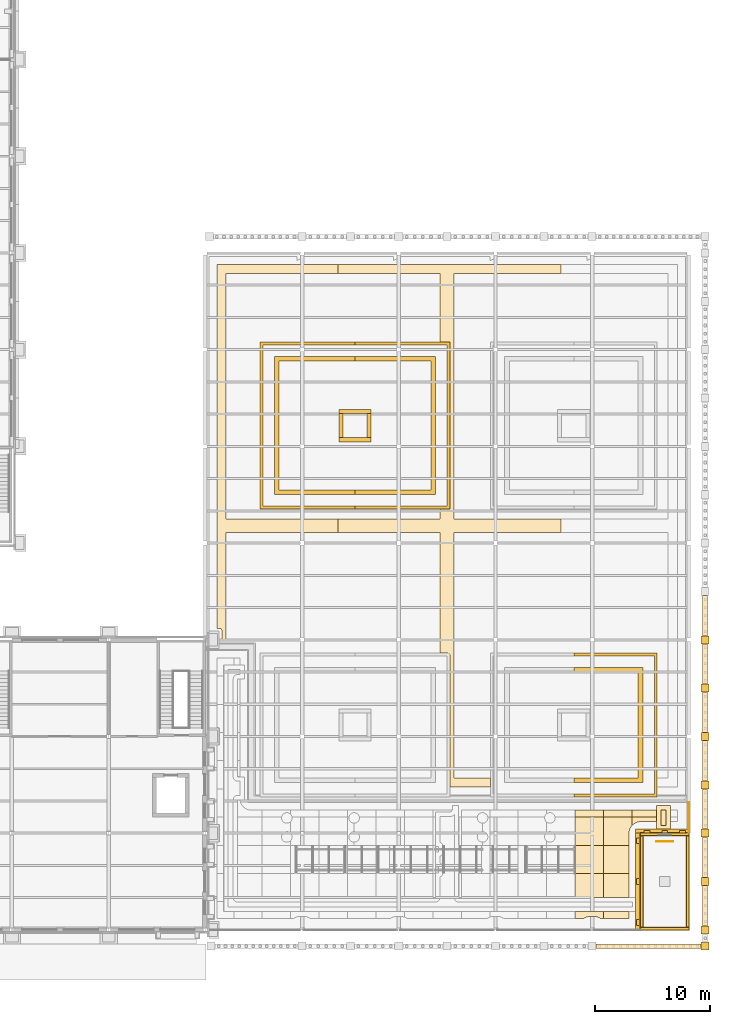
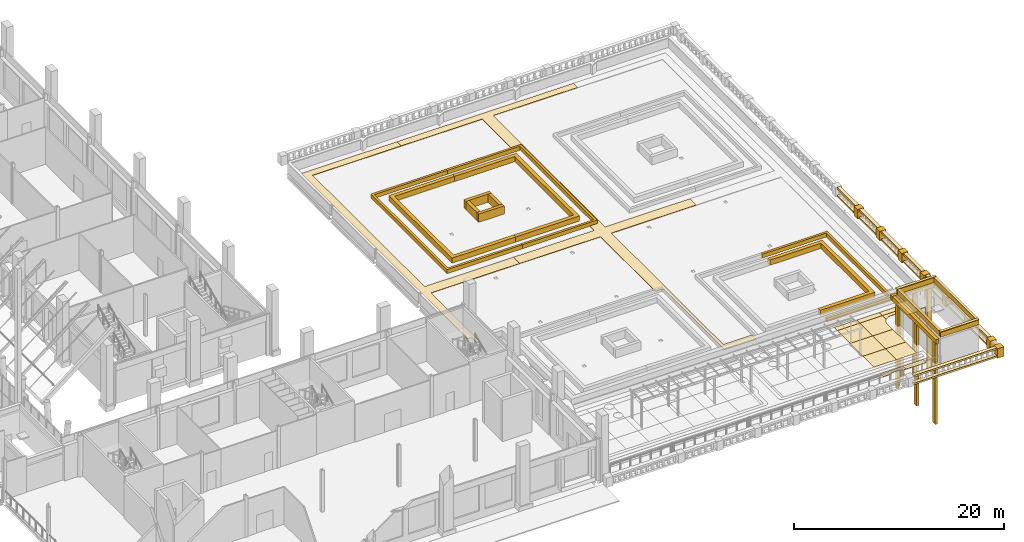
# One storey, part 73 of 76: 66 coverings, 2 railings.
"""IFC4 building model written with IfcOpenShell, lengths in metres."""

from ifc_helpers import new_model, si_unit, direction, frame, origin, origin_2d, place, context, subcontext, project, spatial, polyline, rectangle, circle, outline, extrude, material, layer, layer_set, type_object, element, save


model = new_model("IFC4")

# Units and contexts
model_context = context("Model", 3, precision=1e-05, world=origin(), true_north=direction((0.0, 1.0)))
body_context = subcontext(model_context, "Body", "Model", "MODEL_VIEW")
ifc_project = project(units=[si_unit("LENGTHUNIT", "METRE"), si_unit("AREAUNIT", "SQUARE_METRE"), si_unit("VOLUMEUNIT", "CUBIC_METRE"), si_unit("PLANEANGLEUNIT", "RADIAN"), si_unit("MASSUNIT", "GRAM", prefix="KILO")], contexts=[model_context])

# Site, building, storey
site_placement = place(None, origin())
site = spatial("IfcSite", under=ifc_project, at=site_placement, CompositionType="ELEMENT")
building_placement = place(site_placement, origin())
building = spatial("IfcBuilding", under=site, at=building_placement, Name="Sava Quay Ferry Terminal", CompositionType="ELEMENT")
storey_placement = place(building_placement, frame((0.0, 0.0, 6.0)))
storey = spatial("IfcBuildingStorey", under=building, at=storey_placement, Name="L01", CompositionType="ELEMENT", Elevation=6.0)

# Coverings
ifc_material_1 = material(Name="Limestone Mutalj", Category="masonry")
ifc_layer_1 = layer(ifc_material_1, 0.699951171875)
ifc_layer_set_1 = layer_set([ifc_layer_1], Name="Limestone Mutalj")
covering_type_1 = type_object("IfcCoveringType", Name="Balustrade pier 700", PredefinedType="MOLDING", material=ifc_layer_set_1)
for number, where, z_axis, x_axis, name in (
    (1, (169.39990234375, 23.7900390625, 0.0), (0.0, 0.0, 1.0), (1.0, 0.0, 0.0), "Balustrade pier"),
    (2, (169.39990234375, 25.199951171875, 0.0), (0.0, 0.0, 1.0), (1.0, 0.0, 0.0), "Balustrade pier"),
    (3, (169.39990234375, 29.39990234375, 0.0), (0.0, 0.0, 1.0), (1.0, 0.0, 0.0), "Balustrade pier"),
    (4, (169.39990234375, 33.60009765625, 0.0), (0.0, 0.0, 1.0), (1.0, 0.0, 0.0), "Balustrade pier"),
    (5, (169.39990234375, 37.800048828125, 0.0), (0.0, 0.0, 1.0), (1.0, 0.0, 0.0), "Balustrade pier"),
    (6, (169.39990234375, 42.0, 0.0), (0.0, 0.0, 1.0), (1.0, 0.0, 0.0), "Balustrade pier"),
    (7, (169.39990234375, 46.199951171875, 0.0), (0.0, 0.0, 1.0), (1.0, 0.0, 0.0), "Balustrade pier"),
    (8, (169.39990234375, 50.39990234375, 0.0), (0.0, 0.0, 1.0), (1.0, 0.0, 0.0), "Balustrade pier"),
):
    element("IfcCovering", number, at=place(storey_placement, frame(where, z_axis=z_axis, x_axis=x_axis)), inside=storey, type_object=covering_type_1, Name=name, PredefinedType="MOLDING", context=body_context, shape_type="SweptSolid", body=[
        extrude(rectangle(XDim=0.699951171875, YDim=0.699951171875, at=origin_2d()), origin(), (0.0, 0.0, 1.0), 1.10009765625),
    ])
ifc_material_2 = material(Name="Limestone Mutalj", Category="masonry")
ifc_layer_2 = layer(ifc_material_2, 0.39990234375)
ifc_layer_set_2 = layer_set([ifc_layer_2], Name="Limestone Mutalj")
covering_type_2 = type_object("IfcCoveringType", Name="Balustrade rail 400", PredefinedType="MOLDING", material=ifc_layer_set_2)
for number, where, z_axis, x_axis, name in (
    (9, (164.5, 23.7900390625, 0.0), (0.0, 0.0, 1.0), (1.0, 0.0, 0.0), "Balustrade rail"),
    (10, (164.5, 23.7900390625, 0.89990234375), (0.0, 0.0, 1.0), (1.0, 0.0, 0.0), "Balustrade rail"),
):
    element("IfcCovering", number, at=place(storey_placement, frame(where, z_axis=z_axis, x_axis=x_axis)), inside=storey, type_object=covering_type_2, Name=name, PredefinedType="MOLDING", context=body_context, shape_type="SweptSolid", body=[
        extrude(rectangle(XDim=9.10009765625, YDim=0.39990234375, at=origin_2d()), origin(), (0.0, 0.0, 1.0), 0.199951171875),
    ])
for number, where, z_axis, x_axis, name in (
    (11, (169.39990234375, 27.300048828125, 0.0), (0.0, 0.0, 1.0), (1.0, 0.0, 0.0), "Balustrade rail"),
    (12, (169.39990234375, 27.300048828125, 0.89990234375), (0.0, 0.0, 1.0), (1.0, 0.0, 0.0), "Balustrade rail"),
    (13, (169.39990234375, 31.5, 0.0), (0.0, 0.0, 1.0), (1.0, 0.0, 0.0), "Balustrade rail"),
    (14, (169.39990234375, 31.5, 0.89990234375), (0.0, 0.0, 1.0), (1.0, 0.0, 0.0), "Balustrade rail"),
    (15, (169.39990234375, 35.699951171875, 0.0), (0.0, 0.0, 1.0), (1.0, 0.0, 0.0), "Balustrade rail"),
    (16, (169.39990234375, 35.699951171875, 0.89990234375), (0.0, 0.0, 1.0), (1.0, 0.0, 0.0), "Balustrade rail"),
    (17, (169.39990234375, 39.89990234375, 0.0), (0.0, 0.0, 1.0), (1.0, 0.0, 0.0), "Balustrade rail"),
    (18, (169.39990234375, 39.89990234375, 0.89990234375), (0.0, 0.0, 1.0), (1.0, 0.0, 0.0), "Balustrade rail"),
    (19, (169.39990234375, 44.10009765625, 0.0), (0.0, 0.0, 1.0), (1.0, 0.0, 0.0), "Balustrade rail"),
    (20, (169.39990234375, 44.10009765625, 0.89990234375), (0.0, 0.0, 1.0), (1.0, 0.0, 0.0), "Balustrade rail"),
    (21, (169.39990234375, 48.300048828125, 0.0), (0.0, 0.0, 1.0), (1.0, 0.0, 0.0), "Balustrade rail"),
    (22, (169.39990234375, 48.300048828125, 0.89990234375), (0.0, 0.0, 1.0), (1.0, 0.0, 0.0), "Balustrade rail"),
    (23, (169.39990234375, 52.5, 0.0), (0.0, 0.0, 1.0), (1.0, 0.0, 0.0), "Balustrade rail"),
    (24, (169.39990234375, 52.5, 0.89990234375), (0.0, 0.0, 1.0), (1.0, 0.0, 0.0), "Balustrade rail"),
):
    element("IfcCovering", number, at=place(storey_placement, frame(where, z_axis=z_axis, x_axis=x_axis)), inside=storey, type_object=covering_type_2, Name=name, PredefinedType="MOLDING", context=body_context, shape_type="SweptSolid", body=[
        extrude(rectangle(XDim=0.39990234375, YDim=3.5, at=origin_2d()), origin(), (0.0, 0.0, 1.0), 0.199951171875),
    ])
ifc_material_3 = material(Name="Basalt setts", Category="masonry")
ifc_layer_3 = layer(ifc_material_3, 0.02001953125)
ifc_layer_set_3 = layer_set([ifc_layer_3], Name="Basalt setts")
covering_type_3 = type_object("IfcCoveringType", Name="Basalt inlay line 20", PredefinedType="FLOORING", material=ifc_layer_set_3)
covering_1_placement = place(storey_placement, frame((0.0, 0.0, 0.050048828125)))
element("IfcCovering", 25, at=covering_1_placement, inside=storey, type_object=covering_type_3, Name="Basalt inlay line", PredefinedType="FLOORING", context=body_context, shape_type="SweptSolid", body=[
    extrude(outline(polyline([(166.02001953125, 35.6298828125), (165.580078125, 35.6298828125), (165.580078125, 34.280029296875), (166.02001953125, 34.280029296875), (166.02001953125, 35.6298828125)])), origin(), (0.0, 0.0, 1.0), 0.02001953125),
])
ifc_material_4 = material(Name="Foliage clipped hedge")
ifc_layer_4 = layer(ifc_material_4, 0.39990234375)
ifc_layer_set_4 = layer_set([ifc_layer_4], Name="Foliage clipped hedge")
covering_type_4 = type_object("IfcCoveringType", Name="Box hedge 400 from the slab", PredefinedType="CLADDING", material=ifc_layer_set_4)
covering_2_placement = place(storey_placement, origin())
element("IfcCovering", 26, at=covering_2_placement, inside=storey, type_object=covering_type_4, Name="Box hedge", PredefinedType="CLADDING", context=body_context, shape_type="SweptSolid", body=[
    extrude(outline(polyline([(164.0, 38.0), (164.0, 48.0), (158.0, 48.0), (158.0, 47.60009765625), (163.60009765625, 47.60009765625), (163.60009765625, 38.39990234375), (158.0, 38.39990234375), (158.0, 38.0), (164.0, 38.0)])), origin(), (0.0, 0.0, 1.0), 0.60009765625),
])
covering_3_placement = place(storey_placement, origin())
element("IfcCovering", 27, at=covering_3_placement, inside=storey, type_object=covering_type_4, Name="Box hedge", PredefinedType="CLADDING", context=body_context, shape_type="SweptSolid", body=[
    extrude(outline(polyline([(132.0, 63.0), (139.0, 63.0), (139.0, 63.39990234375), (132.39990234375, 63.39990234375), (132.39990234375, 74.60009765625), (139.0, 74.60009765625), (139.0, 75.0), (132.0, 75.0), (132.0, 63.0)])), origin(), (0.0, 0.0, 1.0), 0.60009765625),
])
covering_4_placement = place(storey_placement, origin())
element("IfcCovering", 28, at=covering_4_placement, inside=storey, type_object=covering_type_4, Name="Box hedge", PredefinedType="CLADDING", context=body_context, shape_type="SweptSolid", body=[
    extrude(outline(polyline([(146.0, 63.0), (146.0, 75.0), (139.0, 75.0), (139.0, 74.60009765625), (145.60009765625, 74.60009765625), (145.60009765625, 63.39990234375), (139.0, 63.39990234375), (139.0, 63.0), (146.0, 63.0)])), origin(), (0.0, 0.0, 1.0), 0.60009765625),
])
ifc_material_5 = material(Name="Limestone Mutalj", Category="masonry")
ifc_layer_5 = layer(ifc_material_5, 0.35009765625)
ifc_layer_set_5 = layer_set([ifc_layer_5], Name="Limestone Mutalj")
covering_type_5 = type_object("IfcCoveringType", Name="Core cornice 350", PredefinedType="MOLDING", material=ifc_layer_set_5)
covering_5_placement = place(storey_placement, frame((165.675048828125, 33.77490234375, 2.5), z_axis=(0.0, 0.0, 1.0), x_axis=(1.0, 0.0, 0.0)))
element("IfcCovering", 29, at=covering_5_placement, inside=storey, type_object=covering_type_5, Name="Core cornice", PredefinedType="MOLDING", context=body_context, shape_type="SweptSolid", body=[
    extrude(rectangle(XDim=4.64990234375, YDim=0.35009765625, at=origin_2d()), origin(), (0.0, 0.0, 1.0), 0.5),
])
covering_6_placement = place(storey_placement, frame((163.52490234375, 29.449951171875, 2.5), z_axis=(0.0, 0.0, 1.0), x_axis=(1.0, 0.0, 0.0)))
element("IfcCovering", 30, at=covering_6_placement, inside=storey, type_object=covering_type_5, Name="Core cornice", PredefinedType="MOLDING", context=body_context, shape_type="SweptSolid", body=[
    extrude(rectangle(XDim=0.35009765625, YDim=8.300048828125, at=origin_2d()), origin(), (0.0, 0.0, 1.0), 0.5),
])
ifc_material_6 = material(Name="Limestone Mutalj", Category="masonry")
ifc_layer_6 = layer(ifc_material_6, 0.25)
ifc_layer_set_6 = layer_set([ifc_layer_6], Name="Limestone Mutalj")
covering_type_6 = type_object("IfcCoveringType", Name="Core pilaster 500", PredefinedType="CLADDING", material=ifc_layer_set_6)
for number, where, z_axis, x_axis, name in (
    (31, (164.35009765625, 33.72509765625, -7.0498046875), (0.0, 0.0, 1.0), (1.0, 0.0, 0.0), "Core pilaster"),
    (32, (165.89990234375, 33.72509765625, -7.0498046875), (0.0, 0.0, 1.0), (1.0, 0.0, 0.0), "Core pilaster"),
    (33, (167.449951171875, 33.72509765625, -7.0498046875), (0.0, 0.0, 1.0), (1.0, 0.0, 0.0), "Core pilaster"),
):
    element("IfcCovering", number, at=place(storey_placement, frame(where, z_axis=z_axis, x_axis=x_axis)), inside=storey, type_object=covering_type_6, Name=name, PredefinedType="CLADDING", context=body_context, shape_type="SweptSolid", body=[
        extrude(rectangle(XDim=0.5, YDim=0.25, at=origin_2d()), origin(), (0.0, 0.0, 1.0), 9.550048828125),
    ])
for number, where, z_axis, x_axis, name in (
    (34, (163.574951171875, 25.85009765625, -7.0498046875), (0.0, 0.0, 1.0), (1.0, 0.0, 0.0), "Core pilaster"),
    (35, (163.574951171875, 29.39990234375, -7.0498046875), (0.0, 0.0, 1.0), (1.0, 0.0, 0.0), "Core pilaster"),
    (36, (163.574951171875, 32.949951171875, -7.0498046875), (0.0, 0.0, 1.0), (1.0, 0.0, 0.0), "Core pilaster"),
):
    element("IfcCovering", number, at=place(storey_placement, frame(where, z_axis=z_axis, x_axis=x_axis)), inside=storey, type_object=covering_type_6, Name=name, PredefinedType="CLADDING", context=body_context, shape_type="SweptSolid", body=[
        extrude(rectangle(XDim=0.25, YDim=0.5, at=origin_2d()), origin(), (0.0, 0.0, 1.0), 9.550048828125),
    ])
ifc_material_7 = material(Name="Limestone Mutalj", Category="masonry")
ifc_layer_7 = layer(ifc_material_7, 0.030029296875)
ifc_layer_set_7 = layer_set([ifc_layer_7], Name="Limestone Mutalj")
covering_type_7 = type_object("IfcCoveringType", Name="Court paving tile 30", PredefinedType="FLOORING", material=ifc_layer_set_7)
covering_7_placement = place(storey_placement, origin())
element("IfcCovering", 37, at=covering_7_placement, inside=storey, type_object=covering_type_7, Name="Limestone paving tile", PredefinedType="FLOORING", context=body_context, shape_type="SweptSolid", body=[
    extrude(outline(polyline([(158.117919921875, 30.10009765625), (158.117919921875, 28.010009765625), (160.587890625, 28.010009765625), (160.587890625, 30.10009765625), (158.117919921875, 30.10009765625)])), origin(), (0.0, 0.0, 1.0), 0.030029296875),
])
covering_8_placement = place(storey_placement, origin())
element("IfcCovering", 38, at=covering_8_placement, inside=storey, type_object=covering_type_7, Name="Limestone paving tile", PredefinedType="FLOORING", context=body_context, shape_type="SweptSolid", body=[
    extrude(outline(polyline([(158.117919921875, 32.550048828125), (160.587890625, 32.550048828125), (160.587890625, 35.0), (158.117919921875, 35.0), (158.117919921875, 32.550048828125)])), origin(), (0.0, 0.0, 1.0), 0.030029296875),
])
covering_9_placement = place(storey_placement, origin())
element("IfcCovering", 39, at=covering_9_placement, inside=storey, type_object=covering_type_7, Name="Limestone paving tile", PredefinedType="FLOORING", context=body_context, shape_type="SweptSolid", body=[
    extrude(outline(polyline([(160.587890625, 26.7900390625), (160.587890625, 26.199951171875), (162.800048828125, 26.199951171875), (162.800048828125, 26.7900390625), (160.587890625, 26.7900390625)])), origin(), (0.0, 0.0, 1.0), 0.030029296875),
])
covering_10_placement = place(storey_placement, origin())
element("IfcCovering", 40, at=covering_10_placement, inside=storey, type_object=covering_type_7, Name="Limestone paving tile", PredefinedType="FLOORING", context=body_context, shape_type="SweptSolid", body=[
    extrude(outline(polyline([(160.587890625, 30.10009765625), (162.800048828125, 30.10009765625), (162.800048828125, 32.550048828125), (160.587890625, 32.550048828125), (160.587890625, 30.10009765625)])), origin(), (0.0, 0.0, 1.0), 0.030029296875),
])
covering_11_placement = place(storey_placement, origin())
element("IfcCovering", 41, at=covering_11_placement, inside=storey, type_object=covering_type_7, Name="Limestone paving tile", PredefinedType="FLOORING", context=body_context, shape_type="SweptSolid", body=[
    extrude(outline(polyline([(163.05908203125, 35.0), (163.05908203125, 35.60009765625), (160.587890625, 35.60009765625), (160.587890625, 35.0), (163.05908203125, 35.0)])), origin(), (0.0, 0.0, 1.0), 0.030029296875),
])
covering_12_placement = place(storey_placement, origin())
element("IfcCovering", 42, at=covering_12_placement, inside=storey, type_object=covering_type_7, Name="Limestone paving tile", PredefinedType="FLOORING", context=body_context, shape_type="SweptSolid", body=[
    extrude(outline(polyline([(163.05908203125, 35.0), (163.05908203125, 34.27001953125), (163.093017578125, 34.306884765625), (163.166015625, 34.373046875), (163.243896484375, 34.430908203125), (163.3291015625, 34.48193359375), (163.4169921875, 34.52392578125), (163.510009765625, 34.556884765625), (163.60498046875, 34.5810546875), (163.701904296875, 34.594970703125), (163.800048828125, 34.60009765625), (165.18994140625, 34.60009765625), (165.18994140625, 35.0), (163.05908203125, 35.0)])), origin(), (0.0, 0.0, 1.0), 0.030029296875),
])
ifc_material_8 = material(Name="Red sandstone Vrsac", Category="masonry")
ifc_layer_8 = layer(ifc_material_8, 0.030029296875)
ifc_layer_set_8 = layer_set([ifc_layer_8], Name="Red sandstone Vrsac")
covering_type_8 = type_object("IfcCoveringType", Name="Court paving tile sandstone 30", PredefinedType="FLOORING", material=ifc_layer_set_8)
covering_13_placement = place(storey_placement, origin())
element("IfcCovering", 43, at=covering_13_placement, inside=storey, type_object=covering_type_8, Name="Sandstone paving tile", PredefinedType="FLOORING", context=body_context, shape_type="SweptSolid", body=[
    extrude(outline(polyline([(160.587890625, 26.199951171875), (160.587890625, 26.7900390625), (158.117919921875, 26.7900390625), (158.117919921875, 26.199951171875), (158.882080078125, 26.199951171875), (158.968994140625, 26.251953125), (159.056884765625, 26.2939453125), (159.14990234375, 26.326904296875), (159.2451171875, 26.35107421875), (159.342041015625, 26.364990234375), (159.43994140625, 26.3701171875), (159.760009765625, 26.3701171875), (159.85791015625, 26.364990234375), (159.955078125, 26.35107421875), (160.050048828125, 26.326904296875), (160.14306640625, 26.2939453125), (160.23095703125, 26.251953125), (160.318115234375, 26.199951171875), (160.587890625, 26.199951171875)])), origin(), (0.0, 0.0, 1.0), 0.030029296875),
])
covering_14_placement = place(storey_placement, origin())
element("IfcCovering", 44, at=covering_14_placement, inside=storey, type_object=covering_type_8, Name="Sandstone paving tile", PredefinedType="FLOORING", context=body_context, shape_type="SweptSolid", body=[
    extrude(outline(polyline([(158.117919921875, 30.10009765625), (160.587890625, 30.10009765625), (160.587890625, 32.550048828125), (158.117919921875, 32.550048828125), (158.117919921875, 30.10009765625)])), origin(), (0.0, 0.0, 1.0), 0.030029296875),
])
covering_15_placement = place(storey_placement, origin())
element("IfcCovering", 45, at=covering_15_placement, inside=storey, type_object=covering_type_8, Name="Sandstone paving tile", PredefinedType="FLOORING", context=body_context, shape_type="SweptSolid", body=[
    extrude(outline(polyline([(160.587890625, 35.0), (160.587890625, 35.60009765625), (158.117919921875, 35.60009765625), (158.117919921875, 35.0), (160.587890625, 35.0)])), origin(), (0.0, 0.0, 1.0), 0.030029296875),
])
covering_16_placement = place(storey_placement, origin())
element("IfcCovering", 46, at=covering_16_placement, inside=storey, type_object=covering_type_8, Name="Sandstone paving tile", PredefinedType="FLOORING", context=body_context, shape_type="SweptSolid", body=[
    extrude(outline(polyline([(160.587890625, 30.10009765625), (160.587890625, 28.010009765625), (162.800048828125, 28.010009765625), (162.800048828125, 30.10009765625), (160.587890625, 30.10009765625)])), origin(), (0.0, 0.0, 1.0), 0.030029296875),
])
covering_17_placement = place(storey_placement, origin())
element("IfcCovering", 47, at=covering_17_placement, inside=storey, type_object=covering_type_8, Name="Sandstone paving tile", PredefinedType="FLOORING", context=body_context, shape_type="SweptSolid", body=[
    extrude(outline(polyline([(160.587890625, 32.550048828125), (162.800048828125, 32.550048828125), (162.800048828125, 33.60009765625), (162.804931640625, 33.697998046875), (162.819091796875, 33.794921875), (162.843017578125, 33.889892578125), (162.8759765625, 33.98291015625), (162.91796875, 34.071044921875), (162.968994140625, 34.156005859375), (163.027099609375, 34.23388671875), (163.05908203125, 34.27001953125), (163.05908203125, 35.0), (160.587890625, 35.0), (160.587890625, 32.550048828125)])), origin(), (0.0, 0.0, 1.0), 0.030029296875),
])
covering_18_placement = place(storey_placement, origin())
element("IfcCovering", 48, at=covering_18_placement, inside=storey, type_object=covering_type_8, Name="Sandstone paving tile", PredefinedType="FLOORING", context=body_context, shape_type="SweptSolid", body=[
    extrude(outline(polyline([(163.05908203125, 35.0), (165.18994140625, 35.0), (165.18994140625, 35.60009765625), (163.05908203125, 35.60009765625), (163.05908203125, 35.0)])), origin(), (0.0, 0.0, 1.0), 0.030029296875),
])

# Railings
ifc_material_9 = material(Name="Steel S355", Category="steel")
railing_type_1 = type_object("IfcRailingType", Name="Edge guard 1100", PredefinedType="GUARDRAIL", material=ifc_material_9)
railing_1_placement = place(storey_placement, frame((168.0, 36.260009765625, 0.0)))
element("IfcRailing", 49, at=railing_1_placement, inside=storey, type_object=railing_type_1, Name="Terrace edge guard", PredefinedType="GUARDRAIL", context=body_context, shape_type="SweptSolid", body=[
    extrude(circle(Radius=0.02392578125, at=origin_2d()), frame((0.0, 0.0, 1.076171875), z_axis=(0.0, -1.0, 0.0), x_axis=(1.0, 0.0, 0.0)), (0.0, 0.0, 1.0), 2.5400390625),
    extrude(circle(Radius=0.02099609375, at=origin_2d()), origin(), (0.0, 0.0, 1.0), 1.052001953125),
    extrude(circle(Radius=0.02099609375, at=origin_2d()), frame((0.0, -0.8466796875, 0.0)), (0.0, 0.0, 1.0), 1.052001953125),
    extrude(circle(Radius=0.02099609375, at=origin_2d()), frame((0.0, -1.693359375, 0.0)), (0.0, 0.0, 1.0), 1.052001953125),
    extrude(circle(Radius=0.02099609375, at=origin_2d()), frame((0.0, -2.5400390625, 0.0)), (0.0, 0.0, 1.0), 1.052001953125),
])
ifc_material_10 = material(Name="Steel S355", Category="steel")
railing_type_2 = type_object("IfcRailingType", Name="Guard 1100", PredefinedType="GUARDRAIL", material=ifc_material_10)
railing_2_placement = place(storey_placement, frame((165.199951171875, 32.8701171875, 0.0)))
element("IfcRailing", 50, at=railing_2_placement, inside=storey, type_object=railing_type_2, Name="Guard at stair well ST-V1 L01", PredefinedType="GUARDRAIL", context=body_context, shape_type="SweptSolid", body=[
    extrude(circle(Radius=0.02392578125, at=origin_2d()), frame((0.0, 0.0, 1.076171875), z_axis=(1.0, 0.0, 0.0), x_axis=(0.0, 1.0, 0.0)), (0.0, 0.0, 1.0), 1.400146484375),
    extrude(circle(Radius=0.02099609375, at=origin_2d()), origin(), (0.0, 0.0, 1.0), 1.052001953125),
    extrude(circle(Radius=0.02099609375, at=origin_2d()), frame((0.7001953125, 0.0, 0.0)), (0.0, 0.0, 1.0), 1.052001953125),
    extrude(circle(Radius=0.02099609375, at=origin_2d()), frame((1.400146484375, 0.0, 0.0)), (0.0, 0.0, 1.0), 1.052001953125),
])

# Coverings
ifc_material_11 = material(Name="Limestone Mutalj", Category="masonry")
ifc_layer_9 = layer(ifc_material_11, 0.050048828125)
ifc_layer_set_9 = layer_set([ifc_layer_9], Name="Limestone Mutalj")
covering_type_9 = type_object("IfcCoveringType", Name="Overrun coping 300", PredefinedType="MOLDING", material=ifc_layer_set_9)
for number, where, z_axis, x_axis, name in (
    (51, (165.89990234375, 25.300048828125, 3.7998046875), (0.0, 0.0, 1.0), (1.0, 0.0, 0.0), "Overrun coping ST-V1 S"),
    (52, (165.89990234375, 33.5, 3.7998046875), (0.0, 0.0, 1.0), (1.0, 0.0, 0.0), "Overrun coping ST-V1 N"),
):
    element("IfcCovering", number, at=place(storey_placement, frame(where, z_axis=z_axis, x_axis=x_axis)), inside=storey, type_object=covering_type_9, Name=name, PredefinedType="MOLDING", context=body_context, shape_type="SweptSolid", body=[
        extrude(rectangle(XDim=4.300048828125, YDim=0.300048828125, at=origin_2d()), origin(), (0.0, 0.0, 1.0), 0.050048828125),
    ])
for number, where, z_axis, x_axis, name in (
    (53, (163.89990234375, 29.39990234375, 3.7998046875), (0.0, 0.0, 1.0), (1.0, 0.0, 0.0), "Overrun coping ST-V1 W"),
    (54, (167.89990234375, 29.39990234375, 3.7998046875), (0.0, 0.0, 1.0), (1.0, 0.0, 0.0), "Overrun coping ST-V1 E"),
):
    element("IfcCovering", number, at=place(storey_placement, frame(where, z_axis=z_axis, x_axis=x_axis)), inside=storey, type_object=covering_type_9, Name=name, PredefinedType="MOLDING", context=body_context, shape_type="SweptSolid", body=[
        extrude(rectangle(XDim=0.300048828125, YDim=7.89990234375, at=origin_2d()), origin(), (0.0, 0.0, 1.0), 0.050048828125),
    ])
ifc_material_12 = material(Name="Limestone Mutalj", Category="masonry")
ifc_layer_10 = layer(ifc_material_12, 0.199951171875)
ifc_layer_set_10 = layer_set([ifc_layer_10], Name="Limestone Mutalj")
covering_type_10 = type_object("IfcCoveringType", Name="Overrun parapet 200", PredefinedType="MOLDING", material=ifc_layer_set_10)
for number, where, z_axis, x_axis, name in (
    (55, (165.89990234375, 25.300048828125, 3.199951171875), (0.0, 0.0, 1.0), (1.0, 0.0, 0.0), "Overrun parapet ST-V1 S"),
    (56, (165.89990234375, 33.5, 3.199951171875), (0.0, 0.0, 1.0), (1.0, 0.0, 0.0), "Overrun parapet ST-V1 N"),
):
    element("IfcCovering", number, at=place(storey_placement, frame(where, z_axis=z_axis, x_axis=x_axis)), inside=storey, type_object=covering_type_10, Name=name, PredefinedType="MOLDING", context=body_context, shape_type="SweptSolid", body=[
        extrude(rectangle(XDim=4.199951171875, YDim=0.199951171875, at=origin_2d()), origin(), (0.0, 0.0, 1.0), 0.60009765625),
    ])
for number, where, z_axis, x_axis, name in (
    (57, (163.89990234375, 29.39990234375, 3.199951171875), (0.0, 0.0, 1.0), (1.0, 0.0, 0.0), "Overrun parapet ST-V1 W"),
    (58, (167.89990234375, 29.39990234375, 3.199951171875), (0.0, 0.0, 1.0), (1.0, 0.0, 0.0), "Overrun parapet ST-V1 E"),
):
    element("IfcCovering", number, at=place(storey_placement, frame(where, z_axis=z_axis, x_axis=x_axis)), inside=storey, type_object=covering_type_10, Name=name, PredefinedType="MOLDING", context=body_context, shape_type="SweptSolid", body=[
        extrude(rectangle(XDim=0.199951171875, YDim=8.0, at=origin_2d()), origin(), (0.0, 0.0, 1.0), 0.60009765625),
    ])
ifc_material_13 = material(Name="Limestone Mutalj", Category="masonry")
ifc_layer_11 = layer(ifc_material_13, 0.25)
ifc_layer_set_11 = layer_set([ifc_layer_11], Name="Limestone Mutalj")
covering_type_11 = type_object("IfcCoveringType", Name="Planter kerb 250", PredefinedType="CLADDING", material=ifc_layer_set_11)
covering_19_placement = place(storey_placement, origin())
element("IfcCovering", 59, at=covering_19_placement, inside=storey, type_object=covering_type_11, Name="Planter kerb", PredefinedType="CLADDING", context=body_context, shape_type="SweptSolid", body=[
    extrude(outline(polyline([(165.25, 49.25), (158.0, 49.25), (158.0, 49.0), (165.0, 49.0), (165.0, 37.0), (158.0, 37.0), (158.0, 36.75), (165.25, 36.75), (165.25, 49.25)])), origin(), (0.0, 0.0, 1.0), 0.449951171875),
])
covering_20_placement = place(storey_placement, origin())
element("IfcCovering", 60, at=covering_20_placement, inside=storey, type_object=covering_type_11, Name="Planter kerb", PredefinedType="CLADDING", context=body_context, shape_type="SweptSolid", body=[
    extrude(outline(polyline([(130.75, 76.25), (130.75, 61.75), (139.0, 61.75), (139.0, 62.0), (131.0, 62.0), (131.0, 76.0), (139.0, 76.0), (139.0, 76.25), (130.75, 76.25)])), origin(), (0.0, 0.0, 1.0), 0.449951171875),
])
covering_21_placement = place(storey_placement, origin())
element("IfcCovering", 61, at=covering_21_placement, inside=storey, type_object=covering_type_11, Name="Planter kerb", PredefinedType="CLADDING", context=body_context, shape_type="SweptSolid", body=[
    extrude(outline(polyline([(147.25, 76.25), (139.0, 76.25), (139.0, 76.0), (147.0, 76.0), (147.0, 62.0), (139.0, 62.0), (139.0, 61.75), (147.25, 61.75), (147.25, 76.25)])), origin(), (0.0, 0.0, 1.0), 0.449951171875),
])
ifc_material_14 = material(Name="Limestone Mutalj", Category="masonry")
ifc_layer_12 = layer(ifc_material_14, 0.050048828125)
ifc_layer_set_12 = layer_set([ifc_layer_12], Name="Limestone Mutalj")
covering_type_12 = type_object("IfcCoveringType", Name="Stone paving band 50", PredefinedType="FLOORING", material=ifc_layer_set_12)
covering_22_placement = place(storey_placement, origin())
element("IfcCovering", 62, at=covering_22_placement, inside=storey, type_object=covering_type_12, Name="Stone paving band", PredefinedType="FLOORING", context=body_context, shape_type="SweptSolid", body=[
    extrude(outline(polyline([(166.39990234375, 33.89990234375), (166.39990234375, 36.010009765625), (165.199951171875, 36.010009765625), (165.199951171875, 33.89990234375), (166.39990234375, 33.89990234375)])), origin(), (0.0, 0.0, 1.0), 0.050048828125),
])
covering_23_placement = place(storey_placement, origin())
element("IfcCovering", 63, at=covering_23_placement, inside=storey, type_object=covering_type_12, Name="Stone paving band", PredefinedType="FLOORING", context=body_context, shape_type="SweptSolid", body=[
    extrude(outline(polyline([(127.800048828125, 59.699951171875), (137.52490234375, 59.699951171875), (137.52490234375, 60.89990234375), (127.800048828125, 60.89990234375), (127.800048828125, 82.199951171875), (137.52490234375, 82.199951171875), (137.52490234375, 83.0), (127.0, 83.0), (127.0, 51.39990234375), (127.199951171875, 51.39990234375), (127.22509765625, 51.39892578125), (127.2490234375, 51.39501953125), (127.27294921875, 51.388916015625), (127.2958984375, 51.381103515625), (127.318115234375, 51.3701171875), (127.339111328125, 51.35791015625), (127.35888671875, 51.343017578125), (127.376953125, 51.326904296875), (127.39306640625, 51.30908203125), (127.407958984375, 51.2890625), (127.419921875, 51.26806640625), (127.430908203125, 51.24609375), (127.43896484375, 51.222900390625), (127.445068359375, 51.198974609375), (127.448974609375, 51.175048828125), (127.449951171875, 51.14990234375), (127.449951171875, 50.389892578125), (127.800048828125, 50.389892578125), (127.800048828125, 59.699951171875)])), origin(), (0.0, 0.0, 1.0), 0.050048828125),
])
covering_24_placement = place(storey_placement, origin())
element("IfcCovering", 64, at=covering_24_placement, inside=storey, type_object=covering_type_12, Name="Stone paving band", PredefinedType="FLOORING", context=body_context, shape_type="SweptSolid", body=[
    extrude(outline(polyline([(147.219970703125, 49.117919921875), (147.23095703125, 49.095947265625), (147.239013671875, 49.072998046875), (147.2451171875, 49.049072265625), (147.2490234375, 49.02490234375), (147.25, 49.0), (147.25, 37.60009765625), (150.75, 37.60009765625), (150.75, 38.39990234375), (147.60009765625, 38.39990234375), (147.60009765625, 59.699951171875), (156.89990234375, 59.699951171875), (156.89990234375, 60.89990234375), (147.60009765625, 60.89990234375), (147.60009765625, 82.199951171875), (156.89990234375, 82.199951171875), (156.89990234375, 83.0), (137.52490234375, 83.0), (137.52490234375, 82.199951171875), (146.39990234375, 82.199951171875), (146.39990234375, 76.25), (147.0, 76.25), (147.02490234375, 76.2490234375), (147.049072265625, 76.2451171875), (147.072998046875, 76.239013671875), (147.095947265625, 76.23095703125), (147.117919921875, 76.219970703125), (147.138916015625, 76.2080078125), (147.158935546875, 76.193115234375), (147.177001953125, 76.177001953125), (147.193115234375, 76.158935546875), (147.2080078125, 76.138916015625), (147.219970703125, 76.117919921875), (147.23095703125, 76.095947265625), (147.239013671875, 76.072998046875), (147.2451171875, 76.049072265625), (147.2490234375, 76.02490234375), (147.25, 76.0), (147.25, 62.0), (147.2490234375, 61.97509765625), (147.2451171875, 61.950927734375), (147.239013671875, 61.927001953125), (147.23095703125, 61.904052734375), (147.219970703125, 61.882080078125), (147.2080078125, 61.861083984375), (147.193115234375, 61.841064453125), (147.177001953125, 61.822998046875), (147.158935546875, 61.806884765625), (147.138916015625, 61.7919921875), (147.117919921875, 61.780029296875), (147.095947265625, 61.76904296875), (147.072998046875, 61.760986328125), (147.049072265625, 61.7548828125), (147.02490234375, 61.7509765625), (147.0, 61.75), (146.39990234375, 61.75), (146.39990234375, 60.89990234375), (137.52490234375, 60.89990234375), (137.52490234375, 59.699951171875), (146.39990234375, 59.699951171875), (146.39990234375, 49.25), (147.0, 49.25), (147.02490234375, 49.2490234375), (147.049072265625, 49.2451171875), (147.072998046875, 49.239013671875), (147.095947265625, 49.23095703125), (147.117919921875, 49.219970703125), (147.138916015625, 49.2080078125), (147.158935546875, 49.193115234375), (147.177001953125, 49.177001953125), (147.193115234375, 49.158935546875), (147.2080078125, 49.138916015625), (147.219970703125, 49.117919921875)])), origin(), (0.0, 0.0, 1.0), 0.050048828125),
])
ifc_material_15 = material(Name="Limestone Mutalj", Category="masonry")
ifc_layer_13 = layer(ifc_material_15, 0.35009765625)
ifc_layer_set_13 = layer_set([ifc_layer_13], Name="Limestone Mutalj")
covering_type_13 = type_object("IfcCoveringType", Name="Tree pit kerb 350", PredefinedType="CLADDING", material=ifc_layer_set_13)
for number, where, z_axis, x_axis, name in (
    (65, (139.0, 70.22509765625, 0.0), (0.0, 0.0, 1.0), (1.0, 0.0, 0.0), "Tree pit kerb"),
    (66, (139.0, 67.77490234375, 0.0), (0.0, 0.0, 1.0), (1.0, 0.0, 0.0), "Tree pit kerb"),
):
    element("IfcCovering", number, at=place(storey_placement, frame(where, z_axis=z_axis, x_axis=x_axis)), inside=storey, type_object=covering_type_13, Name=name, PredefinedType="CLADDING", context=body_context, shape_type="SweptSolid", body=[
        extrude(rectangle(XDim=2.800048828125, YDim=0.35009765625, at=origin_2d()), origin(), (0.0, 0.0, 1.0), 0.949951171875),
    ])
for number, where, z_axis, x_axis, name in (
    (67, (140.22509765625, 69.0, 0.0), (0.0, 0.0, 1.0), (1.0, 0.0, 0.0), "Tree pit kerb"),
    (68, (137.77490234375, 69.0, 0.0), (0.0, 0.0, 1.0), (1.0, 0.0, 0.0), "Tree pit kerb"),
):
    element("IfcCovering", number, at=place(storey_placement, frame(where, z_axis=z_axis, x_axis=x_axis)), inside=storey, type_object=covering_type_13, Name=name, PredefinedType="CLADDING", context=body_context, shape_type="SweptSolid", body=[
        extrude(rectangle(XDim=0.35009765625, YDim=2.10009765625, at=origin_2d()), origin(), (0.0, 0.0, 1.0), 0.949951171875),
    ])

save(model, "model.ifc")
